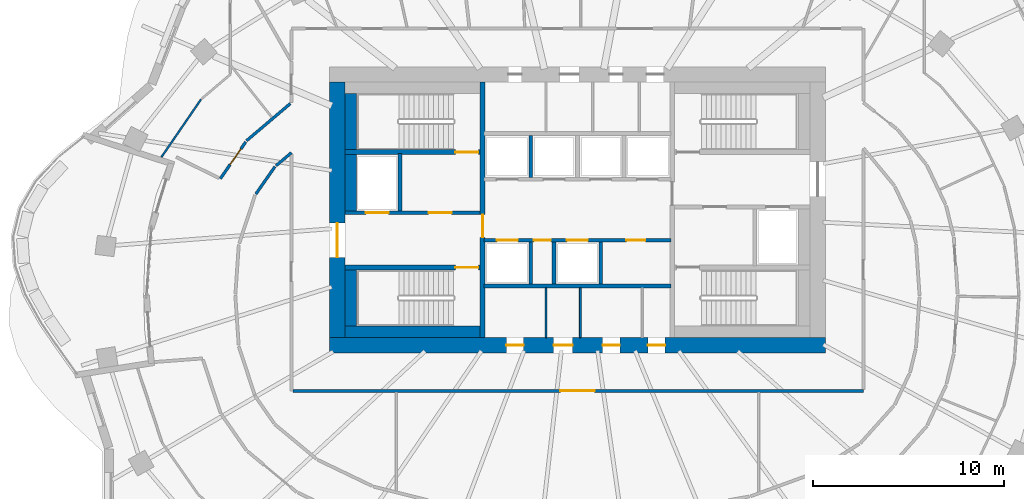
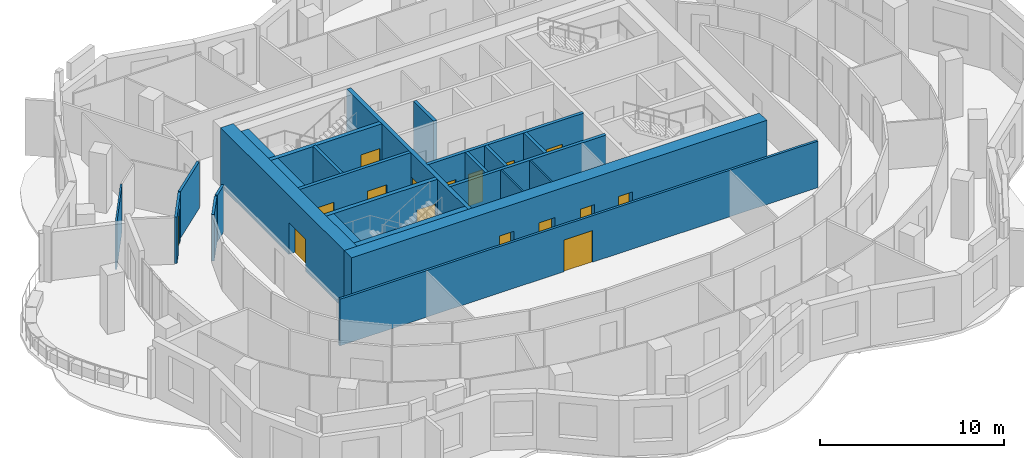
# One storey, part 6 of 13: 25 walls, 16 doors, 16 openings.
"""IFC4 building model written with IfcOpenShell, lengths in metres."""

from ifc_helpers import new_model, si_unit, direction, frame, frame_2d, origin, place, context, subcontext, project, spatial, rectangle, extrude, material, layer, layer_set, type_object, element, fill, save


model = new_model("IFC4")

# Units and contexts
model_context = context("Model", 3, precision=1e-05, world=origin(), true_north=direction((0.0, 1.0)))
body_context = subcontext(model_context, "Body", "Model", "MODEL_VIEW")
ifc_project = project(units=[si_unit("LENGTHUNIT", "METRE"), si_unit("AREAUNIT", "SQUARE_METRE"), si_unit("VOLUMEUNIT", "CUBIC_METRE"), si_unit("PLANEANGLEUNIT", "RADIAN"), si_unit("MASSUNIT", "GRAM", prefix="KILO")], contexts=[model_context])

# Site, building, storey
site_placement = place(None, origin())
site = spatial("IfcSite", under=ifc_project, at=site_placement, CompositionType="ELEMENT")
building_placement = place(site_placement, origin())
building = spatial("IfcBuilding", under=site, at=building_placement, Name="Rubra Terraces Tower", CompositionType="ELEMENT")
storey_placement = place(building_placement, frame((0.0, 0.0, 209.10009765625)))
storey = spatial("IfcBuildingStorey", under=building, at=storey_placement, Name="L51", CompositionType="ELEMENT", Elevation=209.10009765625)

# Wall, openings, doors
ifc_material_1 = material(Name="Concrete C50", Category="concrete")
ifc_layer_1 = layer(ifc_material_1, 0.800048828125)
ifc_layer_set_1 = layer_set([ifc_layer_1], Name="Concrete C50")
wall_type_1 = type_object("IfcWallType", Name="CORE WALL 800 C50", PredefinedType="SHEAR", material=ifc_layer_set_1)
wall_1_placement = place(storey_placement, frame((-13.0, -2.60009765625, 0.0), z_axis=(0.0, 0.0, 1.0), x_axis=(1.0, 0.0, 0.0)))
wall_1 = element("IfcWall", 1, at=wall_1_placement, inside=storey, type_object=wall_type_1, Name="CORE WALL S L51", PredefinedType="SHEAR", context=body_context, shape_type="SweptSolid", body=[
    extrude(rectangle(XDim=26.0, YDim=0.800048828125, at=frame_2d((13.0, 0.0))), origin(), (0.0, 0.0, 1.0), 3.89990234375),
])
opening_1_placement = place(wall_1_placement, frame((9.27490234375, 0.0, 0.0)))
opening_1 = element("IfcOpeningElement", 2, at=opening_1_placement, cuts=wall_1, Name="Opening L51.C21", PredefinedType="OPENING", context=body_context, shape_type="SweptSolid", body=[
    extrude(rectangle(XDim=0.89990234375, YDim=2.10009765625, at=frame_2d((0.449951171875, 1.050048828125))), frame((0.0, 0.409912109375, 0.0), z_axis=(0.0, -1.0, 0.0), x_axis=(1.0, 0.0, 0.0)), (0.0, 0.0, 1.0), 0.820068359375),
])
opening_2_placement = place(wall_1_placement, frame((11.75, 0.0, 0.0)))
opening_2 = element("IfcOpeningElement", 3, at=opening_2_placement, cuts=wall_1, Name="Opening L51.C22", PredefinedType="OPENING", context=body_context, shape_type="SweptSolid", body=[
    extrude(rectangle(XDim=1.0, YDim=2.10009765625, at=frame_2d((0.5, 1.050048828125))), frame((0.0, 0.409912109375, 0.0), z_axis=(0.0, -1.0, 0.0), x_axis=(1.0, 0.0, 0.0)), (0.0, 0.0, 1.0), 0.820068359375),
])
opening_3_placement = place(wall_1_placement, frame((14.324951171875, 0.0, 0.0)))
opening_3 = element("IfcOpeningElement", 4, at=opening_3_placement, cuts=wall_1, Name="Opening L51.C23", PredefinedType="OPENING", context=body_context, shape_type="SweptSolid", body=[
    extrude(rectangle(XDim=0.89990234375, YDim=2.10009765625, at=frame_2d((0.449951171875, 1.050048828125))), frame((0.0, 0.409912109375, 0.0), z_axis=(0.0, -1.0, 0.0), x_axis=(1.0, 0.0, 0.0)), (0.0, 0.0, 1.0), 0.820068359375),
])
opening_4_placement = place(wall_1_placement, frame((16.699951171875, 0.0, 0.0)))
opening_4 = element("IfcOpeningElement", 5, at=opening_4_placement, cuts=wall_1, Name="Opening L51.C24", PredefinedType="OPENING", context=body_context, shape_type="SweptSolid", body=[
    extrude(rectangle(XDim=0.89990234375, YDim=2.10009765625, at=frame_2d((0.449951171875, 1.050048828125))), frame((0.0, 0.409912109375, 0.0), z_axis=(0.0, -1.0, 0.0), x_axis=(1.0, 0.0, 0.0)), (0.0, 0.0, 1.0), 0.820068359375),
])
ifc_material_2 = material(Name="Painted steel", Category="steel")
door_type_1 = type_object("IfcDoorType", Name="Fire door 1000x2100 single", OperationType="NOTDEFINED", PredefinedType="DOOR", material=ifc_material_2)
door_1_placement = place(opening_2_placement, origin())
door_1 = element("IfcDoor", 6, at=door_1_placement, inside=storey, type_object=door_type_1, Name="Accessible WC door", OperationType="SINGLE_SWING_RIGHT", OverallHeight=2.10009765625, OverallWidth=1.0, PredefinedType="DOOR", context=body_context, shape_type="SweptSolid", body=[
    extrude(rectangle(XDim=1.0, YDim=2.10009765625, at=frame_2d((0.5, 1.050048828125))), frame((0.0, 0.02490234375, 0.0), z_axis=(0.0, -1.0, 0.0), x_axis=(1.0, 0.0, 0.0)), (0.0, 0.0, 1.0), 0.050048828125),
])
fill(opening_2, door_1)
door_type_2 = type_object("IfcDoorType", Name="Fire door 900x2100 single", OperationType="NOTDEFINED", PredefinedType="DOOR", material=ifc_material_2)
door_2_placement = place(opening_1_placement, origin())
door_2 = element("IfcDoor", 7, at=door_2_placement, inside=storey, type_object=door_type_2, Name="Gents WC door", OperationType="SINGLE_SWING_LEFT", OverallHeight=2.10009765625, OverallWidth=0.89990234375, PredefinedType="DOOR", context=body_context, shape_type="SweptSolid", body=[
    extrude(rectangle(XDim=0.89990234375, YDim=2.10009765625, at=frame_2d((0.449951171875, 1.050048828125))), frame((0.0, 0.02490234375, 0.0), z_axis=(0.0, -1.0, 0.0), x_axis=(1.0, 0.0, 0.0)), (0.0, 0.0, 1.0), 0.050048828125),
])
fill(opening_1, door_2)
door_3_placement = place(opening_3_placement, origin())
door_3 = element("IfcDoor", 8, at=door_3_placement, inside=storey, type_object=door_type_2, Name="Ladies WC door", OperationType="SINGLE_SWING_LEFT", OverallHeight=2.10009765625, OverallWidth=0.89990234375, PredefinedType="DOOR", context=body_context, shape_type="SweptSolid", body=[
    extrude(rectangle(XDim=0.89990234375, YDim=2.10009765625, at=frame_2d((0.449951171875, 1.050048828125))), frame((0.0, 0.02490234375, 0.0), z_axis=(0.0, -1.0, 0.0), x_axis=(1.0, 0.0, 0.0)), (0.0, 0.0, 1.0), 0.050048828125),
])
fill(opening_3, door_3)
door_4_placement = place(opening_4_placement, origin())
door_4 = element("IfcDoor", 9, at=door_4_placement, inside=storey, type_object=door_type_2, Name="Cleaner's store door", OperationType="SINGLE_SWING_RIGHT", OverallHeight=2.10009765625, OverallWidth=0.89990234375, PredefinedType="DOOR", context=body_context, shape_type="SweptSolid", body=[
    extrude(rectangle(XDim=0.89990234375, YDim=2.10009765625, at=frame_2d((0.449951171875, 1.050048828125))), frame((0.0, 0.02490234375, 0.0), z_axis=(0.0, -1.0, 0.0), x_axis=(1.0, 0.0, 0.0)), (0.0, 0.0, 1.0), 0.050048828125),
])
fill(opening_4, door_4)

# Wall, opening, door
wall_2_placement = place(storey_placement, frame((-12.60009765625, -2.199951171875, 0.0), z_axis=(0.0, 0.0, 1.0), x_axis=(0.0, 1.0, 0.0)))
wall_2 = element("IfcWall", 10, at=wall_2_placement, inside=storey, type_object=wall_type_1, Name="CORE WALL W L51", PredefinedType="SHEAR", context=body_context, shape_type="SweptSolid", body=[
    extrude(rectangle(XDim=13.39990234375, YDim=0.800048828125, at=frame_2d((6.699951171875, 0.0))), origin(), (0.0, 0.0, 1.0), 3.89990234375),
])
opening_5_placement = place(wall_2_placement, frame((4.199951171875, 0.0, 0.0)))
opening_5 = element("IfcOpeningElement", 11, at=opening_5_placement, cuts=wall_2, Name="Opening L51.C01", PredefinedType="OPENING", context=body_context, shape_type="SweptSolid", body=[
    extrude(rectangle(XDim=1.800048828125, YDim=2.10009765625, at=frame_2d((0.89990234375, 1.050048828125))), frame((0.0, 0.409912109375, 0.0), z_axis=(0.0, -1.0, 0.0), x_axis=(1.0, 0.0, 0.0)), (0.0, 0.0, 1.0), 0.820068359375),
])
door_type_3 = type_object("IfcDoorType", Name="Fire door 1800x2100 double", OperationType="NOTDEFINED", PredefinedType="DOOR", material=ifc_material_2)
door_5_placement = place(opening_5_placement, origin())
door_5 = element("IfcDoor", 12, at=door_5_placement, inside=storey, type_object=door_type_3, Name="Core entrance door FF1", OperationType="DOUBLE_DOOR_SINGLE_SWING", OverallHeight=2.10009765625, OverallWidth=1.800048828125, PredefinedType="DOOR", context=body_context, shape_type="SweptSolid", body=[
    extrude(rectangle(XDim=1.800048828125, YDim=2.10009765625, at=frame_2d((0.89990234375, 1.050048828125))), frame((0.0, 0.02490234375, 0.0), z_axis=(0.0, -1.0, 0.0), x_axis=(1.0, 0.0, 0.0)), (0.0, 0.0, 1.0), 0.050048828125),
])
fill(opening_5, door_5)

# Wall
ifc_material_3 = material(Name="Plasterboard on steel stud, mineral wool infill", Category="steel")
ifc_layer_2 = layer(ifc_material_3, 0.14990234375)
ifc_layer_set_2 = layer_set([ifc_layer_2], Name="Plasterboard on steel stud, mineral wool infill")
wall_type_2 = type_object("IfcWallType", Name="CORRIDOR PARTITION 150", PredefinedType="PARTITIONING", material=ifc_layer_set_2)
wall_3_placement = place(storey_placement, frame((-15.05712890625, 10.072998046875, 0.0), z_axis=(0.0, 0.0, 1.0), x_axis=(-0.762398905861, -0.647107339119, 0.0)))
element("IfcWall", 13, at=wall_3_placement, inside=storey, type_object=wall_type_2, Name="PARTITION", PredefinedType="PARTITIONING", context=body_context, shape_type="SweptSolid", body=[
    extrude(rectangle(XDim=3.013427734375, YDim=0.14990234375, at=frame_2d((1.5068359375, 0.0))), origin(), (0.0, 0.0, 1.0), 3.083984375),
])

# Wall, opening, door
wall_4_placement = place(storey_placement, frame((-17.397216796875, 8.061279296875, 0.0), z_axis=(0.0, 0.0, 1.0), x_axis=(-0.567954177421, -0.823060175413, 0.0)))
wall_4 = element("IfcWall", 14, at=wall_4_placement, inside=storey, type_object=wall_type_2, Name="PARTITION", PredefinedType="PARTITIONING", context=body_context, shape_type="SweptSolid", body=[
    extrude(rectangle(XDim=2.3466796875, YDim=0.14990234375, at=frame_2d((1.17333984375, 0.0))), origin(), (0.0, 0.0, 1.0), 3.083984375),
])
opening_6_placement = place(wall_4_placement, frame((0.449951171875, 0.0, 0.0)))
opening_6 = element("IfcOpeningElement", 15, at=opening_6_placement, cuts=wall_4, Name="Opening 51-103", PredefinedType="OPENING", context=body_context, shape_type="SweptSolid", body=[
    extrude(rectangle(XDim=1.0, YDim=2.39990234375, at=frame_2d((0.5, 1.199951171875))), frame((0.0, 0.0849609375, 0.0), z_axis=(0.0, -1.0, 0.0), x_axis=(1.0, 0.0, 0.0)), (0.0, 0.0, 1.0), 0.169921875),
])
ifc_material_4 = material(Name="Glazed aluminium meeting door leaf", Category="aluminium")
door_type_4 = type_object("IfcDoorType", Name="MEETING ROOM GLAZED DOOR 1000 X 2400", OperationType="SINGLE_SWING_LEFT", PredefinedType="DOOR", material=ifc_material_4)
door_6_placement = place(opening_6_placement, origin())
door_6 = element("IfcDoor", 16, at=door_6_placement, inside=storey, type_object=door_type_4, Name="DOOR 51-103", OperationType="SINGLE_SWING_RIGHT", OverallHeight=2.39990234375, OverallWidth=1.0, PredefinedType="DOOR", context=body_context, shape_type="SweptSolid", body=[
    extrude(rectangle(XDim=1.0, YDim=2.39990234375, at=frame_2d((0.5, 1.199951171875))), frame((0.0, 0.02490234375, 0.0), z_axis=(0.0, -1.0, 0.0), x_axis=(1.0, 0.0, 0.0)), (0.0, 0.0, 1.0), 0.050048828125),
])
fill(opening_6, door_6)

# Walls
wall_5_placement = place(storey_placement, frame((-16.865478515625, 5.32861328125, 0.0), z_axis=(0.0, 0.0, 1.0), x_axis=(0.572096615639, 0.820186236397, 0.0)))
element("IfcWall", 17, at=wall_5_placement, inside=storey, type_object=wall_type_2, Name="PARTITION", PredefinedType="PARTITIONING", context=body_context, shape_type="SweptSolid", body=[
    extrude(rectangle(XDim=1.752685546875, YDim=0.14990234375, at=frame_2d((0.87646484375, 0.0))), origin(), (0.0, 0.0, 1.0), 3.083984375),
])
wall_6_placement = place(storey_placement, frame((-15.805419921875, 6.814453125, 0.0), z_axis=(0.0, 0.0, 1.0), x_axis=(0.762298381233, 0.647225755027, 0.0)))
element("IfcWall", 18, at=wall_6_placement, inside=storey, type_object=wall_type_2, Name="PARTITION", PredefinedType="PARTITIONING", context=body_context, shape_type="SweptSolid", body=[
    extrude(rectangle(XDim=1.056640625, YDim=0.14990234375, at=frame_2d((0.5283203125, 0.0))), origin(), (0.0, 0.0, 1.0), 3.083984375),
])

# Wall, opening, door
wall_7_placement = place(storey_placement, frame((-14.925048828125, -5.0, 0.0), z_axis=(0.0, 0.0, 1.0), x_axis=(1.0, 0.0, 0.0)))
wall_7 = element("IfcWall", 19, at=wall_7_placement, inside=storey, type_object=wall_type_2, Name="PARTITION", PredefinedType="PARTITIONING", context=body_context, shape_type="SweptSolid", body=[
    extrude(rectangle(XDim=29.925048828125, YDim=0.14990234375, at=frame_2d((14.96240234375, 0.0))), origin(), (0.0, 0.0, 1.0), 3.083984375),
])
opening_7_placement = place(wall_7_placement, frame((14.02490234375, 0.0, 0.0)))
opening_7 = element("IfcOpeningElement", 20, at=opening_7_placement, cuts=wall_7, Name="Opening 51-121", PredefinedType="OPENING", context=body_context, shape_type="SweptSolid", body=[
    extrude(rectangle(XDim=1.800048828125, YDim=2.10009765625, at=frame_2d((0.89990234375, 1.050048828125))), frame((0.0, 0.0849609375, 0.0), z_axis=(0.0, -1.0, 0.0), x_axis=(1.0, 0.0, 0.0)), (0.0, 0.0, 1.0), 0.169921875),
])
ifc_material_5 = material(Name="Painted timber door leaf, double", Category="wood")
door_type_5 = type_object("IfcDoorType", Name="ROOM DOUBLE DOOR 1800 X 2100", OperationType="DOUBLE_DOOR_SINGLE_SWING", PredefinedType="DOOR", material=ifc_material_5)
door_7_placement = place(opening_7_placement, origin())
door_7 = element("IfcDoor", 21, at=door_7_placement, inside=storey, type_object=door_type_5, Name="DOOR 51-121", OperationType="DOUBLE_DOOR_SINGLE_SWING", OverallHeight=2.10009765625, OverallWidth=1.800048828125, PredefinedType="DOOR", context=body_context, shape_type="SweptSolid", body=[
    extrude(rectangle(XDim=1.800048828125, YDim=2.10009765625, at=frame_2d((0.89990234375, 1.050048828125))), frame((0.0, 0.02490234375, 0.0), z_axis=(0.0, -1.0, 0.0), x_axis=(1.0, 0.0, 0.0)), (0.0, 0.0, 1.0), 0.050048828125),
])
fill(opening_7, door_7)

# Walls
ifc_material_6 = material(Name="Concrete C40", Category="concrete")
ifc_layer_3 = layer(ifc_material_6, 0.60009765625)
ifc_layer_set_3 = layer_set([ifc_layer_3], Name="Concrete C40")
wall_type_3 = type_object("IfcWallType", Name="Core lining wall 600 concrete", PredefinedType="SOLIDWALL", material=ifc_layer_set_3)
wall_8_placement = place(storey_placement, frame((-12.199951171875, -1.89990234375, 0.0), z_axis=(0.0, 0.0, 1.0), x_axis=(1.0, 0.0, 0.0)))
element("IfcWall", 22, at=wall_8_placement, inside=storey, type_object=wall_type_3, Name="CORE LINING WALL L51", PredefinedType="SOLIDWALL", context=body_context, shape_type="SweptSolid", body=[
    extrude(rectangle(XDim=7.099853515625, YDim=0.60009765625, at=frame_2d((3.5498046875, 0.0))), origin(), (0.0, 0.0, 1.0), 3.699951171875),
])
wall_9_placement = place(storey_placement, frame((-11.89990234375, -1.60009765625, 0.0), z_axis=(0.0, 0.0, 1.0), x_axis=(0.0, 1.0, 0.0)))
element("IfcWall", 23, at=wall_9_placement, inside=storey, type_object=wall_type_3, Name="CORE LINING WALL L51", PredefinedType="SOLIDWALL", context=body_context, shape_type="SweptSolid", body=[
    extrude(rectangle(XDim=2.9501953125, YDim=0.60009765625, at=frame_2d((1.47509765625, 0.0))), origin(), (0.0, 0.0, 1.0), 3.699951171875),
])
wall_10_placement = place(storey_placement, frame((-11.89990234375, 4.449951171875, 0.0), z_axis=(0.0, 0.0, 1.0), x_axis=(0.0, 1.0, 0.0)))
element("IfcWall", 24, at=wall_10_placement, inside=storey, type_object=wall_type_3, Name="CORE LINING WALL L51", PredefinedType="SOLIDWALL", context=body_context, shape_type="SweptSolid", body=[
    extrude(rectangle(XDim=3.0, YDim=0.60009765625, at=frame_2d((1.5, 0.0))), origin(), (0.0, 0.0, 1.0), 3.699951171875),
])
wall_11_placement = place(storey_placement, frame((-11.89990234375, 7.64990234375, 0.0), z_axis=(0.0, 0.0, 1.0), x_axis=(0.0, 1.0, 0.0)))
element("IfcWall", 25, at=wall_11_placement, inside=storey, type_object=wall_type_3, Name="CORE LINING WALL L51", PredefinedType="SOLIDWALL", context=body_context, shape_type="SweptSolid", body=[
    extrude(rectangle(XDim=2.9501953125, YDim=0.60009765625, at=frame_2d((1.47509765625, 0.0))), origin(), (0.0, 0.0, 1.0), 3.699951171875),
])

# Wall, openings, doors
ifc_material_7 = material(Name="Concrete C30", Category="concrete")
ifc_layer_4 = layer(ifc_material_7, 0.199951171875)
ifc_layer_set_4 = layer_set([ifc_layer_4], Name="Concrete C30")
wall_type_4 = type_object("IfcWallType", Name="Core wall 200 concrete", PredefinedType="SOLIDWALL", material=ifc_layer_set_4)
wall_12_placement = place(storey_placement, frame((-12.199951171875, 4.35009765625, 0.0), z_axis=(0.0, 0.0, 1.0), x_axis=(1.0, 0.0, 0.0)))
wall_12 = element("IfcWall", 26, at=wall_12_placement, inside=storey, type_object=wall_type_4, Name="STAIR WALL L51", PredefinedType="SOLIDWALL", context=body_context, shape_type="SweptSolid", body=[
    extrude(rectangle(XDim=7.099853515625, YDim=0.199951171875, at=frame_2d((3.5498046875, 0.0))), origin(), (0.0, 0.0, 1.0), 3.699951171875),
])
opening_8_placement = place(wall_12_placement, frame((4.39990234375, 0.0, 0.0)))
opening_8 = element("IfcOpeningElement", 27, at=opening_8_placement, cuts=wall_12, Name="Opening L51.C05", PredefinedType="OPENING", context=body_context, shape_type="SweptSolid", body=[
    extrude(rectangle(XDim=1.199951171875, YDim=2.10009765625, at=frame_2d((0.60009765625, 1.050048828125))), frame((0.0, 0.10986328125, 0.0), z_axis=(0.0, -1.0, 0.0), x_axis=(1.0, 0.0, 0.0)), (0.0, 0.0, 1.0), 0.219970703125),
])
opening_9_placement = place(wall_12_placement, frame((1.10009765625, 0.0, 0.0)))
opening_9 = element("IfcOpeningElement", 28, at=opening_9_placement, cuts=wall_12, Name="Opening L51.C11", PredefinedType="OPENING", context=body_context, shape_type="SweptSolid", body=[
    extrude(rectangle(XDim=1.199951171875, YDim=2.10009765625, at=frame_2d((0.60009765625, 1.050048828125))), frame((0.0, 0.10986328125, 0.0), z_axis=(0.0, -1.0, 0.0), x_axis=(1.0, 0.0, 0.0)), (0.0, 0.0, 1.0), 0.219970703125),
])
door_type_6 = type_object("IfcDoorType", Name="Fire door 1200x2100 single", OperationType="NOTDEFINED", PredefinedType="DOOR", material=ifc_material_2)
door_8_placement = place(opening_8_placement, origin())
door_8 = element("IfcDoor", 29, at=door_8_placement, inside=storey, type_object=door_type_6, Name="Stair vestibule door S2", OperationType="SINGLE_SWING_LEFT", OverallHeight=2.10009765625, OverallWidth=1.199951171875, PredefinedType="DOOR", context=body_context, shape_type="SweptSolid", body=[
    extrude(rectangle(XDim=1.199951171875, YDim=2.10009765625, at=frame_2d((0.60009765625, 1.050048828125))), frame((0.0, 0.02490234375, 0.0), z_axis=(0.0, -1.0, 0.0), x_axis=(1.0, 0.0, 0.0)), (0.0, 0.0, 1.0), 0.050048828125),
])
fill(opening_8, door_8)
ifc_material_8 = material(Name="Stainless steel", Category="steel")
door_type_7 = type_object("IfcDoorType", Name="Lift landing door 1200x2100", OperationType="NOTDEFINED", PredefinedType="DOOR", material=ifc_material_8)
door_9_placement = place(opening_9_placement, origin())
door_9 = element("IfcDoor", 30, at=door_9_placement, inside=storey, type_object=door_type_7, Name="Landing door FF1", OperationType="SLIDING_TO_RIGHT", OverallHeight=2.10009765625, OverallWidth=1.199951171875, PredefinedType="DOOR", context=body_context, shape_type="SweptSolid", body=[
    extrude(rectangle(XDim=1.199951171875, YDim=2.10009765625, at=frame_2d((0.60009765625, 1.050048828125))), frame((0.0, 0.02490234375, 0.0), z_axis=(0.0, -1.0, 0.0), x_axis=(1.0, 0.0, 0.0)), (0.0, 0.0, 1.0), 0.050048828125),
])
fill(opening_9, door_9)

# Walls
wall_13_placement = place(storey_placement, frame((-9.300048828125, 4.449951171875, 0.0), z_axis=(0.0, 0.0, 1.0), x_axis=(0.0, 1.0, 0.0)))
element("IfcWall", 31, at=wall_13_placement, inside=storey, type_object=wall_type_4, Name="STAIR WALL L51", PredefinedType="SOLIDWALL", context=body_context, shape_type="SweptSolid", body=[
    extrude(rectangle(XDim=3.0, YDim=0.199951171875, at=frame_2d((1.5, 0.0))), origin(), (0.0, 0.0, 1.0), 3.699951171875),
])
wall_14_placement = place(storey_placement, frame((-4.89990234375, 0.5, 0.0), z_axis=(0.0, 0.0, 1.0), x_axis=(1.0, 0.0, 0.0)))
element("IfcWall", 32, at=wall_14_placement, inside=storey, type_object=wall_type_4, Name="LIFT SHAFT WALL L51", PredefinedType="SOLIDWALL", context=body_context, shape_type="SweptSolid", body=[
    extrude(rectangle(XDim=9.7998046875, YDim=0.199951171875, at=frame_2d((4.89990234375, 0.0))), origin(), (0.0, 0.0, 1.0), 3.699951171875),
])

# Wall, openings, doors
wall_15_placement = place(storey_placement, frame((-4.89990234375, 2.89990234375, 0.0), z_axis=(0.0, 0.0, 1.0), x_axis=(1.0, 0.0, 0.0)))
wall_15 = element("IfcWall", 33, at=wall_15_placement, inside=storey, type_object=wall_type_4, Name="LIFT SHAFT WALL L51", PredefinedType="SOLIDWALL", context=body_context, shape_type="SweptSolid", body=[
    extrude(rectangle(XDim=9.7998046875, YDim=0.199951171875, at=frame_2d((4.89990234375, 0.0))), origin(), (0.0, 0.0, 1.0), 3.699951171875),
])
opening_10_placement = place(wall_15_placement, frame((0.675048828125, 0.0, 0.0)))
opening_10 = element("IfcOpeningElement", 34, at=opening_10_placement, cuts=wall_15, Name="Opening L51.C13", PredefinedType="OPENING", context=body_context, shape_type="SweptSolid", body=[
    extrude(rectangle(XDim=1.10009765625, YDim=2.10009765625, at=frame_2d((0.550048828125, 1.050048828125))), frame((0.0, 0.10986328125, 0.0), z_axis=(0.0, -1.0, 0.0), x_axis=(1.0, 0.0, 0.0)), (0.0, 0.0, 1.0), 0.219970703125),
])
opening_11_placement = place(wall_15_placement, frame((2.613037109375, 0.0, 0.0)))
opening_11 = element("IfcOpeningElement", 35, at=opening_11_placement, cuts=wall_15, Name="Opening L51.C14", PredefinedType="OPENING", context=body_context, shape_type="SweptSolid", body=[
    extrude(rectangle(XDim=0.89990234375, YDim=2.10009765625, at=frame_2d((0.449951171875, 1.050048828125))), frame((0.0, 0.10986328125, 0.0), z_axis=(0.0, -1.0, 0.0), x_axis=(1.0, 0.0, 0.0)), (0.0, 0.0, 1.0), 0.219970703125),
])
opening_12_placement = place(wall_15_placement, frame((4.35009765625, 0.0, 0.0)))
opening_12 = element("IfcOpeningElement", 36, at=opening_12_placement, cuts=wall_15, Name="Opening L51.C15", PredefinedType="OPENING", context=body_context, shape_type="SweptSolid", body=[
    extrude(rectangle(XDim=1.10009765625, YDim=2.10009765625, at=frame_2d((0.550048828125, 1.050048828125))), frame((0.0, 0.10986328125, 0.0), z_axis=(0.0, -1.0, 0.0), x_axis=(1.0, 0.0, 0.0)), (0.0, 0.0, 1.0), 0.219970703125),
])
opening_13_placement = place(wall_15_placement, frame((7.462890625, 0.0, 0.0)))
opening_13 = element("IfcOpeningElement", 37, at=opening_13_placement, cuts=wall_15, Name="Opening L51.C16", PredefinedType="OPENING", context=body_context, shape_type="SweptSolid", body=[
    extrude(rectangle(XDim=1.0, YDim=2.10009765625, at=frame_2d((0.5, 1.050048828125))), frame((0.0, 0.10986328125, 0.0), z_axis=(0.0, -1.0, 0.0), x_axis=(1.0, 0.0, 0.0)), (0.0, 0.0, 1.0), 0.219970703125),
])
door_10_placement = place(opening_13_placement, origin())
door_10 = element("IfcDoor", 38, at=door_10_placement, inside=storey, type_object=door_type_1, Name="Ice and vending room door", OperationType="SINGLE_SWING_RIGHT", OverallHeight=2.10009765625, OverallWidth=1.0, PredefinedType="DOOR", context=body_context, shape_type="SweptSolid", body=[
    extrude(rectangle(XDim=1.0, YDim=2.10009765625, at=frame_2d((0.5, 1.050048828125))), frame((0.0, 0.02490234375, 0.0), z_axis=(0.0, -1.0, 0.0), x_axis=(1.0, 0.0, 0.0)), (0.0, 0.0, 1.0), 0.050048828125),
])
fill(opening_13, door_10)
door_11_placement = place(opening_11_placement, origin())
door_11 = element("IfcDoor", 39, at=door_11_placement, inside=storey, type_object=door_type_2, Name="Cleaner's store door", OperationType="SINGLE_SWING_RIGHT", OverallHeight=2.10009765625, OverallWidth=0.89990234375, PredefinedType="DOOR", context=body_context, shape_type="SweptSolid", body=[
    extrude(rectangle(XDim=0.89990234375, YDim=2.10009765625, at=frame_2d((0.449951171875, 1.050048828125))), frame((0.0, 0.02490234375, 0.0), z_axis=(0.0, -1.0, 0.0), x_axis=(1.0, 0.0, 0.0)), (0.0, 0.0, 1.0), 0.050048828125),
])
fill(opening_11, door_11)
door_type_8 = type_object("IfcDoorType", Name="Lift landing door 1100x2100", OperationType="NOTDEFINED", PredefinedType="DOOR", material=ifc_material_8)
door_12_placement = place(opening_10_placement, origin())
door_12 = element("IfcDoor", 40, at=door_12_placement, inside=storey, type_object=door_type_8, Name="Landing door HB1", OperationType="SLIDING_TO_RIGHT", OverallHeight=2.10009765625, OverallWidth=1.10009765625, PredefinedType="DOOR", context=body_context, shape_type="SweptSolid", body=[
    extrude(rectangle(XDim=1.10009765625, YDim=2.10009765625, at=frame_2d((0.550048828125, 1.050048828125))), frame((0.0, 0.02490234375, 0.0), z_axis=(0.0, -1.0, 0.0), x_axis=(1.0, 0.0, 0.0)), (0.0, 0.0, 1.0), 0.050048828125),
])
fill(opening_10, door_12)
door_13_placement = place(opening_12_placement, origin())
door_13 = element("IfcDoor", 41, at=door_13_placement, inside=storey, type_object=door_type_8, Name="Landing door HB2", OperationType="SLIDING_TO_LEFT", OverallHeight=2.10009765625, OverallWidth=1.10009765625, PredefinedType="DOOR", context=body_context, shape_type="SweptSolid", body=[
    extrude(rectangle(XDim=1.10009765625, YDim=2.10009765625, at=frame_2d((0.550048828125, 1.050048828125))), frame((0.0, 0.02490234375, 0.0), z_axis=(0.0, -1.0, 0.0), x_axis=(1.0, 0.0, 0.0)), (0.0, 0.0, 1.0), 0.050048828125),
])
fill(opening_12, door_13)

# Walls
for number, where, z_axis, x_axis, name in (
    (42, (-2.449951171875, 0.60009765625, 0.0), (0.0, 0.0, 1.0), (0.0, 1.0, 0.0), "LIFT SHAFT WALL L51"),
    (43, (-1.22509765625, 0.60009765625, 0.0), (0.0, 0.0, 1.0), (0.0, 1.0, 0.0), "LIFT SHAFT WALL L51"),
    (44, (1.22509765625, 0.60009765625, 0.0), (0.0, 0.0, 1.0), (0.0, 1.0, 0.0), "LIFT SHAFT WALL L51"),
    (45, (-2.449951171875, 6.199951171875, 0.0), (0.0, 0.0, 1.0), (0.0, 1.0, 0.0), "LIFT SHAFT WALL L51"),
):
    element("IfcWall", number, at=place(storey_placement, frame(where, z_axis=z_axis, x_axis=x_axis)), inside=storey, type_object=wall_type_4, Name=name, PredefinedType="SOLIDWALL", context=body_context, shape_type="SweptSolid", body=[
        extrude(rectangle(XDim=2.199951171875, YDim=0.199951171875, at=frame_2d((1.10009765625, 0.0))), origin(), (0.0, 0.0, 1.0), 3.699951171875),
    ])
ifc_material_9 = material(Name="Plasterboard on steel stud", Category="steel")
ifc_layer_5 = layer(ifc_material_9, 0.10009765625)
ifc_layer_set_5 = layer_set([ifc_layer_5], Name="Plasterboard on steel stud")
wall_type_5 = type_object("IfcWallType", Name="ROOM PARTITION 100", PredefinedType="PARTITIONING", material=ifc_layer_set_5)
wall_16_placement = place(storey_placement, frame((-21.822998046875, 7.258056640625, 0.0), z_axis=(0.0, 0.0, 1.0), x_axis=(0.565413636132, 0.824807504861, 0.0)))
element("IfcWall", 46, at=wall_16_placement, inside=storey, type_object=wall_type_5, Name="PARTITION", PredefinedType="PARTITIONING", context=body_context, shape_type="SweptSolid", body=[
    extrude(rectangle(XDim=3.680908203125, YDim=0.10009765625, at=frame_2d((1.84033203125, 0.0))), origin(), (0.0, 0.0, 1.0), 3.083984375),
])
ifc_material_10 = material(Name="Blockwork", Category="masonry")
ifc_layer_6 = layer(ifc_material_10, 0.10009765625)
ifc_layer_set_6 = layer_set([ifc_layer_6], Name="Blockwork")
wall_type_6 = type_object("IfcWallType", Name="Service partition 100 blockwork", PredefinedType="PARTITIONING", material=ifc_layer_set_6)
for number, where, z_axis, x_axis, name in (
    (47, (-1.64990234375, -2.199951171875, 0.0), (0.0, 0.0, 1.0), (0.0, 1.0, 0.0), "SERVICE ROOM PARTITION L51"),
    (48, (0.14990234375, -2.199951171875, 0.0), (0.0, 0.0, 1.0), (0.0, 1.0, 0.0), "SERVICE ROOM PARTITION L51"),
):
    element("IfcWall", number, at=place(storey_placement, frame(where, z_axis=z_axis, x_axis=x_axis)), inside=storey, type_object=wall_type_6, Name=name, PredefinedType="PARTITIONING", context=body_context, shape_type="SweptSolid", body=[
        extrude(rectangle(XDim=2.599853515625, YDim=0.10009765625, at=frame_2d((1.2998046875, 0.0))), origin(), (0.0, 0.0, 1.0), 3.699951171875),
    ])

# Wall, opening, door
ifc_layer_7 = layer(ifc_material_6, 0.25)
ifc_layer_set_7 = layer_set([ifc_layer_7], Name="Concrete C40")
wall_type_7 = type_object("IfcWallType", Name="Stair enclosure wall 250 concrete", PredefinedType="SOLIDWALL", material=ifc_layer_set_7)
wall_17_placement = place(storey_placement, frame((-12.199951171875, 1.47509765625, 0.0), z_axis=(0.0, 0.0, 1.0), x_axis=(1.0, 0.0, 0.0)))
wall_17 = element("IfcWall", 49, at=wall_17_placement, inside=storey, type_object=wall_type_7, Name="STAIR WALL L51", PredefinedType="SOLIDWALL", context=body_context, shape_type="SweptSolid", body=[
    extrude(rectangle(XDim=7.099853515625, YDim=0.25, at=frame_2d((3.5498046875, 0.0))), origin(), (0.0, 0.0, 1.0), 3.699951171875),
])
opening_14_placement = place(wall_17_placement, frame((5.800048828125, 0.0, 0.0)))
opening_14 = element("IfcOpeningElement", 50, at=opening_14_placement, cuts=wall_17, Name="Opening L51.C07", PredefinedType="OPENING", context=body_context, shape_type="SweptSolid", body=[
    extrude(rectangle(XDim=1.199951171875, YDim=2.10009765625, at=frame_2d((0.60009765625, 1.050048828125))), frame((0.0, 0.135009765625, 0.0), z_axis=(0.0, -1.0, 0.0), x_axis=(1.0, 0.0, 0.0)), (0.0, 0.0, 1.0), 0.27001953125),
])
door_14_placement = place(opening_14_placement, origin())
door_14 = element("IfcDoor", 51, at=door_14_placement, inside=storey, type_object=door_type_6, Name="Stair door S1", OperationType="SINGLE_SWING_LEFT", OverallHeight=2.10009765625, OverallWidth=1.199951171875, PredefinedType="DOOR", context=body_context, shape_type="SweptSolid", body=[
    extrude(rectangle(XDim=1.199951171875, YDim=2.10009765625, at=frame_2d((0.60009765625, 1.050048828125))), frame((0.0, 0.02490234375, 0.0), z_axis=(0.0, -1.0, 0.0), x_axis=(1.0, 0.0, 0.0)), (0.0, 0.0, 1.0), 0.050048828125),
])
fill(opening_14, door_14)

wall_18_placement = place(storey_placement, frame((-12.199951171875, 7.52490234375, 0.0), z_axis=(0.0, 0.0, 1.0), x_axis=(1.0, 0.0, 0.0)))
wall_18 = element("IfcWall", 52, at=wall_18_placement, inside=storey, type_object=wall_type_7, Name="STAIR WALL L51", PredefinedType="SOLIDWALL", context=body_context, shape_type="SweptSolid", body=[
    extrude(rectangle(XDim=7.099853515625, YDim=0.25, at=frame_2d((3.5498046875, 0.0))), origin(), (0.0, 0.0, 1.0), 3.699951171875),
])
opening_15_placement = place(wall_18_placement, frame((5.800048828125, 0.0, 0.0)))
opening_15 = element("IfcOpeningElement", 53, at=opening_15_placement, cuts=wall_18, Name="Opening L51.C09", PredefinedType="OPENING", context=body_context, shape_type="SweptSolid", body=[
    extrude(rectangle(XDim=1.199951171875, YDim=2.10009765625, at=frame_2d((0.60009765625, 1.050048828125))), frame((0.0, 0.135009765625, 0.0), z_axis=(0.0, -1.0, 0.0), x_axis=(1.0, 0.0, 0.0)), (0.0, 0.0, 1.0), 0.27001953125),
])
door_15_placement = place(opening_15_placement, origin())
door_15 = element("IfcDoor", 54, at=door_15_placement, inside=storey, type_object=door_type_6, Name="Stair door S2", OperationType="SINGLE_SWING_LEFT", OverallHeight=2.10009765625, OverallWidth=1.199951171875, PredefinedType="DOOR", context=body_context, shape_type="SweptSolid", body=[
    extrude(rectangle(XDim=1.199951171875, YDim=2.10009765625, at=frame_2d((0.60009765625, 1.050048828125))), frame((0.0, 0.02490234375, 0.0), z_axis=(0.0, -1.0, 0.0), x_axis=(1.0, 0.0, 0.0)), (0.0, 0.0, 1.0), 0.050048828125),
])
fill(opening_15, door_15)

wall_19_placement = place(storey_placement, frame((-4.97509765625, -2.199951171875, 0.0), z_axis=(0.0, 0.0, 1.0), x_axis=(0.0, 1.0, 0.0)))
wall_19 = element("IfcWall", 55, at=wall_19_placement, inside=storey, type_object=wall_type_7, Name="CORE LOBBY WALL L51", PredefinedType="SOLIDWALL", context=body_context, shape_type="SweptSolid", body=[
    extrude(rectangle(XDim=13.39990234375, YDim=0.25, at=frame_2d((6.699951171875, 0.0))), origin(), (0.0, 0.0, 1.0), 3.699951171875),
])
opening_16_placement = place(wall_19_placement, frame((5.25, 0.0, 0.0)))
opening_16 = element("IfcOpeningElement", 56, at=opening_16_placement, cuts=wall_19, Name="Opening L51.C03", PredefinedType="OPENING", context=body_context, shape_type="SweptSolid", body=[
    extrude(rectangle(XDim=1.199951171875, YDim=2.10009765625, at=frame_2d((0.60009765625, 1.050048828125))), frame((0.0, 0.135009765625, 0.0), z_axis=(0.0, -1.0, 0.0), x_axis=(1.0, 0.0, 0.0)), (0.0, 0.0, 1.0), 0.27001953125),
])
door_16_placement = place(opening_16_placement, origin())
door_16 = element("IfcDoor", 57, at=door_16_placement, inside=storey, type_object=door_type_6, Name="Firefighting lobby door FF1", OperationType="SINGLE_SWING_LEFT", OverallHeight=2.10009765625, OverallWidth=1.199951171875, PredefinedType="DOOR", context=body_context, shape_type="SweptSolid", body=[
    extrude(rectangle(XDim=1.199951171875, YDim=2.10009765625, at=frame_2d((0.60009765625, 1.050048828125))), frame((0.0, 0.02490234375, 0.0), z_axis=(0.0, -1.0, 0.0), x_axis=(1.0, 0.0, 0.0)), (0.0, 0.0, 1.0), 0.050048828125),
])
fill(opening_16, door_16)

save(model, "model.ifc")
